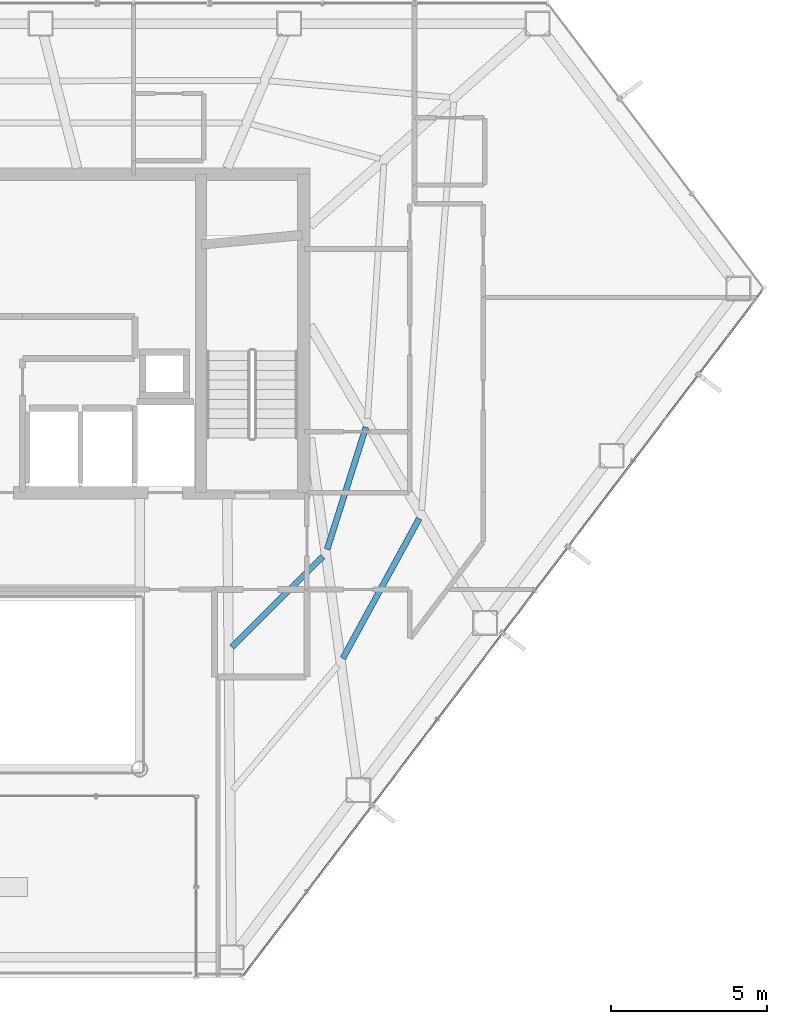
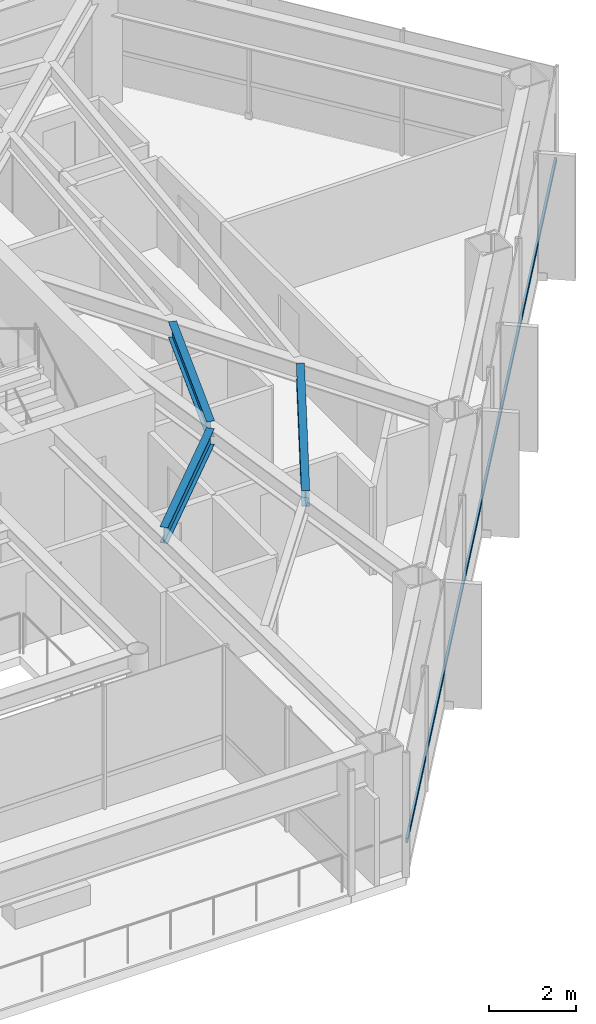
# One storey, part 18 of 28: 3 beams, 1 member, 1 element without a shape of its own.
"""IFC4 building model written with IfcOpenShell, lengths in metres."""

from ifc_helpers import new_model, si_unit, direction, frame, origin, origin_2d, place, context, subcontext, project, spatial, hollow_rectangle, i_section, extrude, material, layer, layer_set, material_profile, profile_set, type_object, element, aggregate, save


model = new_model("IFC4")

# Units and contexts
model_context = context("Model", 3, precision=1e-05, world=origin(), true_north=direction((0.0, 1.0)))
body_context = subcontext(model_context, "Body", "Model", "MODEL_VIEW")
ifc_project = project(units=[si_unit("LENGTHUNIT", "METRE"), si_unit("AREAUNIT", "SQUARE_METRE"), si_unit("VOLUMEUNIT", "CUBIC_METRE"), si_unit("PLANEANGLEUNIT", "RADIAN"), si_unit("MASSUNIT", "GRAM", prefix="KILO")], contexts=[model_context])

# Site, building, storey
site_placement = place(None, origin())
site = spatial("IfcSite", under=ifc_project, at=site_placement, CompositionType="ELEMENT")
building_placement = place(site_placement, origin())
building = spatial("IfcBuilding", under=site, at=building_placement, Name="Zarrinselat Tower", CompositionType="ELEMENT")
storey_placement = place(building_placement, frame((0.0, 0.0, 157.080078125)))
storey = spatial("IfcBuildingStorey", under=building, at=storey_placement, Name="L38", CompositionType="ELEMENT", Elevation=157.080078125)

# Beams
ifc_material_1 = material(Name="Steel S355J2", Category="steel")
ifc_material_profile_1 = material_profile(ifc_material_1, i_section(OverallWidth=0.18994140625, OverallDepth=0.449951171875, WebThickness=0.009521484375, FlangeThickness=0.0146484375, at=origin_2d()), Name="IPE 450")
ifc_profile_set_1 = profile_set([ifc_material_profile_1], Name="Steel S355J2")
beam_type = type_object("IfcBeamType", Name="BM-IPE450", PredefinedType="JOIST", material=ifc_profile_set_1)
beam_1_placement = place(storey_placement, frame((45.947509765625, 28.302001953125, 3.27490234375), z_axis=(0.708382474709, 0.705828782018, 0.0), x_axis=(-0.705828782018, 0.708382474709, 0.0)))
element("IfcBeam", 1, at=beam_1_placement, inside=storey, type_object=beam_type, Name="L38 Composite Floor Joist 2-2", PredefinedType="JOIST", context=body_context, shape_type="SweptSolid", body=[
    extrude(i_section(OverallWidth=0.18994140625, OverallDepth=0.449951171875, WebThickness=0.009521484375, FlangeThickness=0.0146484375, at=origin_2d()), origin(), (0.0, 0.0, 1.0), 4.11083984375),
])
beam_2_placement = place(storey_placement, frame((49.504638671875, 27.9453125, 3.27490234375), z_axis=(0.479147231755, 0.877734544325, 0.0), x_axis=(-0.877734544325, 0.479147231755, 0.0)))
element("IfcBeam", 2, at=beam_2_placement, inside=storey, type_object=beam_type, Name="L38 Composite Floor Joist 3-1", PredefinedType="JOIST", context=body_context, shape_type="SweptSolid", body=[
    extrude(i_section(OverallWidth=0.18994140625, OverallDepth=0.449951171875, WebThickness=0.009521484375, FlangeThickness=0.0146484375, at=origin_2d()), origin(), (0.0, 0.0, 1.0), 5.100341796875),
])
beam_3_placement = place(storey_placement, frame((49.001220703125, 31.435791015625, 3.27490234375), z_axis=(0.302884466326, 0.953027281907, 0.0), x_axis=(-0.953027281907, 0.302884466326, 0.0)))
element("IfcBeam", 3, at=beam_3_placement, inside=storey, type_object=beam_type, Name="L38 Composite Floor Joist 3-2", PredefinedType="JOIST", context=body_context, shape_type="SweptSolid", body=[
    extrude(i_section(OverallWidth=0.18994140625, OverallDepth=0.449951171875, WebThickness=0.009521484375, FlangeThickness=0.0146484375, at=origin_2d()), origin(), (0.0, 0.0, 1.0), 4.1044921875),
])

# Curtain wall, member
ifc_material_2 = material(Name="Extruded Aluminium Alloy EN AW-6063 T6", Category="aluminium")
ifc_layer = layer(ifc_material_2, 0.175048828125)
ifc_layer_set = layer_set([ifc_layer], Name="Extruded Aluminium Alloy EN AW-6063 T6")
curtain_wall_type = type_object("IfcCurtainWallType", Name="CWS-HTL", PredefinedType="NOTDEFINED", material=ifc_layer_set)
curtain_wall_placement = place(storey_placement, origin())
curtain_wall = element("IfcCurtainWall", 4, at=curtain_wall_placement, inside=storey, type_object=curtain_wall_type, Name="L38 Unitised Curtain Wall CW-L38-E05", PredefinedType="NOTDEFINED")
ifc_material_3 = material(Name="Extruded Aluminium Alloy EN AW-6063 T6", Category="aluminium")
ifc_material_profile_2 = material_profile(ifc_material_3, hollow_rectangle(XDim=0.06005859375, YDim=0.1201171875, WallThickness=0.00390625, at=origin_2d()), Name="RHS 120x60x4")
ifc_profile_set_2 = profile_set([ifc_material_profile_2], Name="Extruded Aluminium Alloy EN AW-6063 T6")
member_type = type_object("IfcMemberType", Name="MEM-CW-TRN2", PredefinedType="USERDEFINED", material=ifc_profile_set_2)
member_placement = place(storey_placement, frame((62.92822265625, 39.714111328125, 0.949951171875), z_axis=(-0.603856833317, -0.797092795637, 0.0), x_axis=(0.797092795637, -0.603856833317, 0.0)))
member = element("IfcMember", 5, at=member_placement, type_object=member_type, Name="CW-L38-E05 Transom 1", ObjectType="TRANSOM", PredefinedType="USERDEFINED", context=body_context, shape_type="SweptSolid", body=[
    extrude(hollow_rectangle(XDim=0.06005859375, YDim=0.1201171875, WallThickness=0.00390625, at=origin_2d()), origin(), (0.0, 0.0, 1.0), 27.49853515625),
])
aggregate(curtain_wall, [member])

save(model, "model.ifc")
